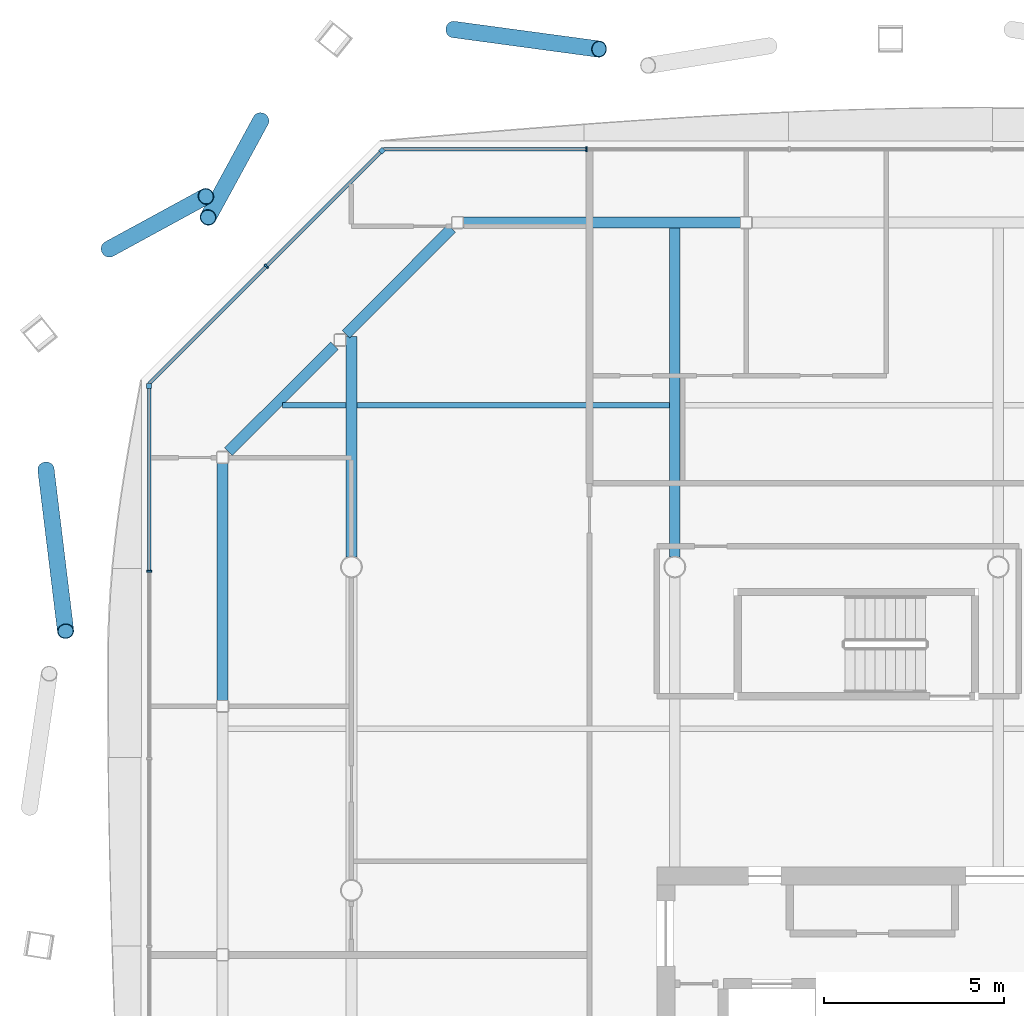
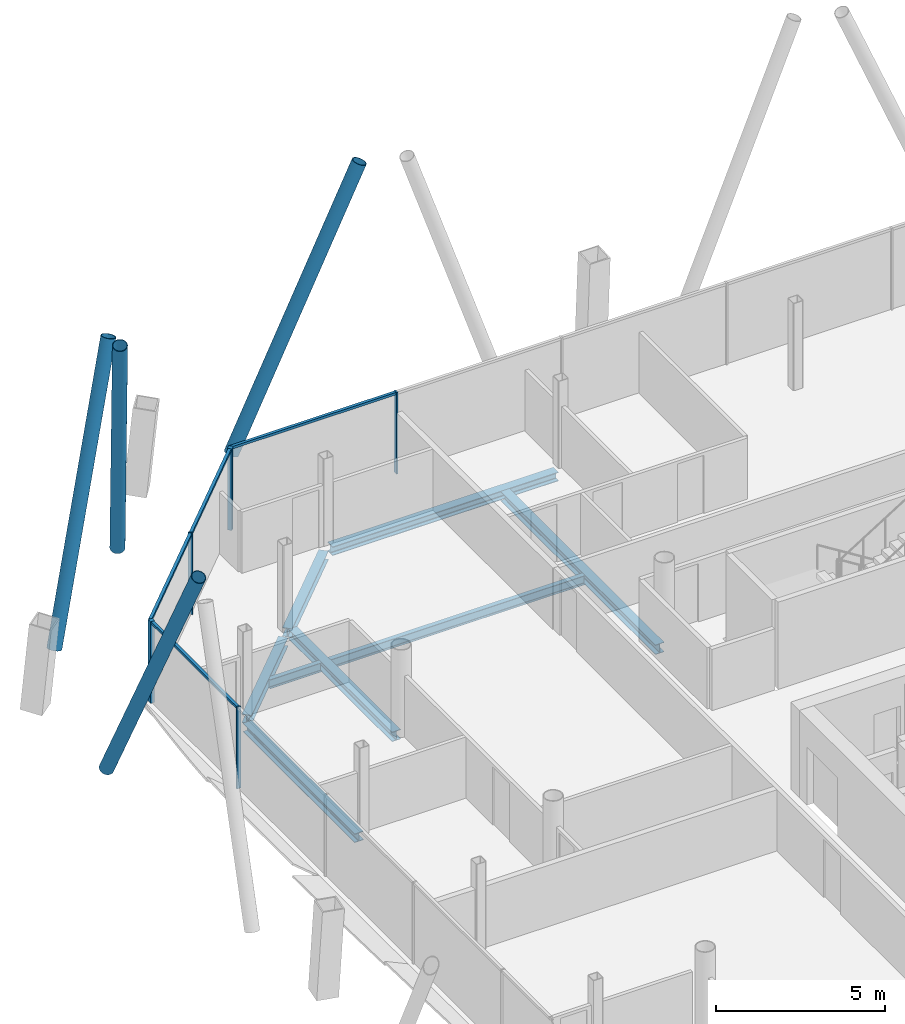
# One storey, part 10 of 20: 13 members, 8 beams, 3 elements without a shape of their own.
"""IFC4 building model written with IfcOpenShell, lengths in metres."""

from ifc_helpers import new_model, si_unit, direction, frame, origin, origin_2d, place, context, subcontext, project, spatial, rectangle, hollow_circle, i_section, extrude, material, material_profile, profile_set, type_object, element, aggregate, save


model = new_model("IFC4")

# Units and contexts
model_context = context("Model", 3, precision=1e-05, world=origin(), true_north=direction((0.0, 1.0)))
body_context = subcontext(model_context, "Body", "Model", "MODEL_VIEW")
ifc_project = project(units=[si_unit("LENGTHUNIT", "METRE"), si_unit("AREAUNIT", "SQUARE_METRE"), si_unit("VOLUMEUNIT", "CUBIC_METRE"), si_unit("PLANEANGLEUNIT", "RADIAN"), si_unit("MASSUNIT", "GRAM", prefix="KILO")], contexts=[model_context])

# Site, building, storey
site_placement = place(None, origin())
site = spatial("IfcSite", under=ifc_project, at=site_placement, CompositionType="ELEMENT")
building_placement = place(site_placement, origin())
building = spatial("IfcBuilding", under=site, at=building_placement, Name="Tskaro Facet Tower", CompositionType="ELEMENT")
storey_placement = place(building_placement, frame((0.0, 0.0, 181.64990234375)))
storey = spatial("IfcBuildingStorey", under=building, at=storey_placement, Name="L45", CompositionType="ELEMENT", Elevation=181.64990234375)

# Members
ifc_material_1 = material(Name="Steel S355J2H", Category="steel")
ifc_material_profile_1 = material_profile(ifc_material_1, hollow_circle(Radius=0.228515625, WallThickness=0.02001953125, at=origin_2d()), Name="CHS 457x20")
ifc_profile_set_1 = profile_set([ifc_material_profile_1], Name="Steel S355J2H")
member_type_1 = type_object("IfcMemberType", Name="CHS 457x20 brace", PredefinedType="BRACE", material=ifc_profile_set_1)
member_1_placement = place(storey_placement, frame((-15.162109375, 23.956787109375, 0.0), z_axis=(0.393699044834, -0.0532012921, 0.91769858048), x_axis=(0.133914728079, 0.990992858503, 0.0)))
element("IfcMember", 1, at=member_1_placement, inside=storey, type_object=member_type_1, Name="CHS 457x20 XB08B/4", PredefinedType="BRACE", context=body_context, shape_type="SweptSolid", body=[
    extrude(hollow_circle(Radius=0.228515625, WallThickness=0.02001953125, at=origin_2d()), origin(), (0.0, 0.0, 1.0), 10.297607421875),
])
for number, where, z_axis, x_axis, name in (
    (2, (-20.521728515625, 21.419677734375, 0.0), (-0.147675796765, -0.271222203776, 0.951120589215), (0.878254135535, -0.478194179613, 0.0), "CHS 457x20 XB09A/4"),
    (3, (-24.742919921875, 17.8447265625, 0.0), (0.271222203776, 0.147675796765, 0.951120589215), (-0.478194179613, 0.878254135535, 0.0), "CHS 457x20 XB09B/4"),
):
    element("IfcMember", number, at=place(storey_placement, frame(where, z_axis=z_axis, x_axis=x_axis)), inside=storey, type_object=member_type_1, Name=name, PredefinedType="BRACE", context=body_context, shape_type="SweptSolid", body=[
        extrude(hollow_circle(Radius=0.228515625, WallThickness=0.02001953125, at=origin_2d()), origin(), (0.0, 0.0, 1.0), 9.935791015625),
    ])
member_2_placement = place(storey_placement, frame((-26.499755859375, 11.7138671875, 0.0), z_axis=(0.052264514002, -0.429528595017, 0.901539575747), x_axis=(0.992678339937, 0.120787886065, 0.0)))
element("IfcMember", 4, at=member_2_placement, inside=storey, type_object=member_type_1, Name="CHS 457x20 XB10A/4", PredefinedType="BRACE", context=body_context, shape_type="SweptSolid", body=[
    extrude(hollow_circle(Radius=0.228515625, WallThickness=0.02001953125, at=origin_2d()), origin(), (0.0, 0.0, 1.0), 10.482177734375),
])

# Curtain wall, member
ifc_material_2 = material(Name="Bronze anodised aluminium 6063-T6", Category="aluminium")
curtain_wall_type = type_object("IfcCurtainWallType", Name="Bronze residence curtain wall (FW3)", PredefinedType="NOTDEFINED", material=ifc_material_2)
curtain_wall_1_placement = place(storey_placement, origin())
curtain_wall_1 = element("IfcCurtainWall", 5, at=curtain_wall_1_placement, inside=storey, type_object=curtain_wall_type, Name="FW3 north-west facet L45", PredefinedType="NOTDEFINED")
ifc_material_profile_2 = material_profile(ifc_material_2, rectangle(XDim=0.139892578125, YDim=0.139892578125, at=origin_2d()), Name="Corner post 140x140")
ifc_profile_set_2 = profile_set([ifc_material_profile_2], Name="Bronze anodised aluminium 6063-T6")
member_type_2 = type_object("IfcMemberType", Name="FW3 bronze corner post 140x140", PredefinedType="MULLION", material=ifc_profile_set_2)
member_3_placement = place(storey_placement, frame((-17.1494140625, 20.57861328125, 0.0), z_axis=(0.0, 0.0, 1.0), x_axis=(-0.707106781187, -0.707106781187, 0.0)))
member_3 = element("IfcMember", 6, at=member_3_placement, type_object=member_type_2, Name="FW3 north-west corner post", PredefinedType="MULLION", context=body_context, shape_type="SweptSolid", body=[
    extrude(rectangle(XDim=0.139892578125, YDim=0.139892578125, at=origin_2d()), origin(), (0.0, 0.0, 1.0), 2.9501953125),
])

curtain_wall_2_placement = place(storey_placement, origin())
curtain_wall_2 = element("IfcCurtainWall", 7, at=curtain_wall_2_placement, inside=storey, type_object=curtain_wall_type, Name="FW3 west facet L45", PredefinedType="NOTDEFINED")
member_4_placement = place(storey_placement, frame((-23.6279296875, 14.030029296875, 0.0), z_axis=(0.0, 0.0, 1.0), x_axis=(0.0, -1.0, 0.0)))
member_4 = element("IfcMember", 8, at=member_4_placement, type_object=member_type_2, Name="FW3 west corner post", PredefinedType="MULLION", context=body_context, shape_type="SweptSolid", body=[
    extrude(rectangle(XDim=0.139892578125, YDim=0.139892578125, at=origin_2d()), origin(), (0.0, 0.0, 1.0), 2.9501953125),
])

curtain_wall_3_placement = place(storey_placement, origin())
curtain_wall_3 = element("IfcCurtainWall", 9, at=curtain_wall_3_placement, inside=storey, type_object=curtain_wall_type, Name="FW3 north facet L45", PredefinedType="NOTDEFINED")
ifc_material_profile_3 = material_profile(ifc_material_2, rectangle(XDim=0.050048828125, YDim=0.139892578125, at=origin_2d()), Name="Mullion 50x140")
ifc_profile_set_3 = profile_set([ifc_material_profile_3], Name="Bronze anodised aluminium 6063-T6")
member_type_3 = type_object("IfcMemberType", Name="FW3 bronze mullion 50x140", PredefinedType="MULLION", material=ifc_profile_set_3)
member_5_placement = place(storey_placement, frame((-11.4599609375, 20.6279296875, 0.0), z_axis=(0.0, 0.0, 1.0), x_axis=(-1.0, 0.0, 0.0)))
member_5 = element("IfcMember", 10, at=member_5_placement, type_object=member_type_3, Name="FW3 north mullion 4", PredefinedType="MULLION", context=body_context, shape_type="SweptSolid", body=[
    extrude(rectangle(XDim=0.050048828125, YDim=0.139892578125, at=origin_2d()), origin(), (0.0, 0.0, 1.0), 2.9501953125),
])

# Member
member_6_placement = place(storey_placement, frame((-20.364013671875, 17.364013671875, 0.0), z_axis=(0.0, 0.0, 1.0), x_axis=(-0.707106781187, -0.707106781187, 0.0)))
member_6 = element("IfcMember", 11, at=member_6_placement, type_object=member_type_3, Name="FW3 north-west mullion 1", PredefinedType="MULLION", context=body_context, shape_type="SweptSolid", body=[
    extrude(rectangle(XDim=0.050048828125, YDim=0.139892578125, at=origin_2d()), origin(), (0.0, 0.0, 1.0), 2.9501953125),
])

member_7_placement = place(storey_placement, frame((-23.6279296875, 8.8818359375, 0.0), z_axis=(0.0, 0.0, 1.0), x_axis=(0.0, -1.0, 0.0)))
member_7 = element("IfcMember", 12, at=member_7_placement, type_object=member_type_3, Name="FW3 west mullion 1", PredefinedType="MULLION", context=body_context, shape_type="SweptSolid", body=[
    extrude(rectangle(XDim=0.050048828125, YDim=0.139892578125, at=origin_2d()), origin(), (0.0, 0.0, 1.0), 2.9501953125),
])

ifc_material_profile_4 = material_profile(ifc_material_2, rectangle(XDim=0.10009765625, YDim=0.090087890625, at=origin_2d()), Name="Transom 100x90")
ifc_profile_set_4 = profile_set([ifc_material_profile_4], Name="Bronze anodised aluminium 6063-T6")
member_type_4 = type_object("IfcMemberType", Name="FW3 bronze transom 100x90", PredefinedType="USERDEFINED", material=ifc_profile_set_4)
member_8_placement = place(storey_placement, frame((-11.485107421875, 20.6279296875, 2.905029296875), z_axis=(-1.0, 0.0, 0.0), x_axis=(0.0, -1.0, 0.0)))
member_8 = element("IfcMember", 13, at=member_8_placement, type_object=member_type_4, Name="FW3 north transom 5.1", ObjectType="TRANSOM", PredefinedType="USERDEFINED", context=body_context, shape_type="SweptSolid", body=[
    extrude(rectangle(XDim=0.10009765625, YDim=0.090087890625, at=origin_2d()), origin(), (0.0, 0.0, 1.0), 5.614990234375),
])

aggregate(curtain_wall_3, [member_5, member_8])

member_9_placement = place(storey_placement, frame((-17.198974609375, 20.529052734375, 2.905029296875), z_axis=(-0.707106781187, -0.707106781187, 0.0), x_axis=(0.707106781187, -0.707106781187, 0.0)))
member_9 = element("IfcMember", 14, at=member_9_placement, type_object=member_type_4, Name="FW3 north-west transom 1.1", ObjectType="TRANSOM", PredefinedType="USERDEFINED", context=body_context, shape_type="SweptSolid", body=[
    extrude(rectangle(XDim=0.10009765625, YDim=0.090087890625, at=origin_2d()), origin(), (0.0, 0.0, 1.0), 4.451171875),
])

member_10_placement = place(storey_placement, frame((-20.381591796875, 17.346435546875, 2.905029296875), z_axis=(-0.707106781187, -0.707106781187, 0.0), x_axis=(0.707106781187, -0.707106781187, 0.0)))
member_10 = element("IfcMember", 15, at=member_10_placement, type_object=member_type_4, Name="FW3 north-west transom 2.1", ObjectType="TRANSOM", PredefinedType="USERDEFINED", context=body_context, shape_type="SweptSolid", body=[
    extrude(rectangle(XDim=0.10009765625, YDim=0.090087890625, at=origin_2d()), origin(), (0.0, 0.0, 1.0), 4.591064453125),
])

aggregate(curtain_wall_1, [member_3, member_6, member_9, member_10])

member_11_placement = place(storey_placement, frame((-23.6279296875, 13.9599609375, 2.905029296875), z_axis=(0.0, -1.0, 0.0), x_axis=(1.0, 0.0, 0.0)))
member_11 = element("IfcMember", 16, at=member_11_placement, type_object=member_type_4, Name="FW3 west transom 1.1", ObjectType="TRANSOM", PredefinedType="USERDEFINED", context=body_context, shape_type="SweptSolid", body=[
    extrude(rectangle(XDim=0.10009765625, YDim=0.090087890625, at=origin_2d()), origin(), (0.0, 0.0, 1.0), 5.05322265625),
])

aggregate(curtain_wall_2, [member_4, member_7, member_11])

# Beams
ifc_material_3 = material(Name="Steel S355J2", Category="steel")
ifc_material_profile_5 = material_profile(ifc_material_3, i_section(OverallWidth=0.300048828125, OverallDepth=0.320068359375, WebThickness=0.011474609375, FlangeThickness=0.0205078125, FilletRadius=0.027099609375, at=origin_2d()), Name="HE 320 B")
ifc_profile_set_5 = profile_set([ifc_material_profile_5], Name="Steel S355J2")
beam_type_1 = type_object("IfcBeamType", Name="HE 320 B ring beam", PredefinedType="BEAM", material=ifc_profile_set_5)
beam_1_placement = place(storey_placement, frame((-7.169921875, 18.5830078125, -0.2998046875), z_axis=(-1.0, 0.0, 0.0), x_axis=(0.0, -1.0, 0.0)))
element("IfcBeam", 17, at=beam_1_placement, inside=storey, type_object=beam_type_1, Name="HE 320 B EB14-4", PredefinedType="BEAM", context=body_context, shape_type="SweptSolid", body=[
    extrude(i_section(OverallWidth=0.300048828125, OverallDepth=0.320068359375, WebThickness=0.011474609375, FlangeThickness=0.0205078125, FilletRadius=0.027099609375, at=origin_2d()), origin(), (0.0, 0.0, 1.0), 7.72119140625),
])
for number, where, z_axis, x_axis, name in (
    (18, (-15.206787109375, 18.422119140625, -0.2998046875), (-0.706989603829, -0.70722393913, 0.0), (0.70722393913, -0.706989603829, 0.0), "HE 320 B EB15-4"),
    (19, (-18.474853515625, 15.153076171875, -0.2998046875), (-0.70722393913, -0.706989603829, 0.0), (0.706989603829, -0.70722393913, 0.0), "HE 320 B EB16-4"),
):
    element("IfcBeam", number, at=place(storey_placement, frame(where, z_axis=z_axis, x_axis=x_axis)), inside=storey, type_object=beam_type_1, Name=name, PredefinedType="BEAM", context=body_context, shape_type="SweptSolid", body=[
        extrude(i_section(OverallWidth=0.300048828125, OverallDepth=0.320068359375, WebThickness=0.011474609375, FlangeThickness=0.0205078125, FilletRadius=0.027099609375, at=origin_2d()), origin(), (0.0, 0.0, 1.0), 4.16748046875),
    ])
beam_2_placement = place(storey_placement, frame((-21.5830078125, 11.89111328125, -0.2998046875), z_axis=(0.0, -1.0, 0.0), x_axis=(1.0, 0.0, 0.0)))
element("IfcBeam", 20, at=beam_2_placement, inside=storey, type_object=beam_type_1, Name="HE 320 B EB17-4", PredefinedType="BEAM", context=body_context, shape_type="SweptSolid", body=[
    extrude(i_section(OverallWidth=0.300048828125, OverallDepth=0.320068359375, WebThickness=0.011474609375, FlangeThickness=0.0205078125, FilletRadius=0.027099609375, at=origin_2d()), origin(), (0.0, 0.0, 1.0), 6.610107421875),
])
ifc_material_profile_6 = material_profile(ifc_material_3, i_section(OverallWidth=0.300048828125, OverallDepth=0.35009765625, WebThickness=0.010009765625, FlangeThickness=0.017578125, FilletRadius=0.027099609375, at=origin_2d()), Name="HE 360 A")
ifc_profile_set_6 = profile_set([ifc_material_profile_6], Name="Steel S355J2")
beam_type_2 = type_object("IfcBeamType", Name="HE 360 A girder", PredefinedType="BEAM", material=ifc_profile_set_6)
beam_3_placement = place(storey_placement, frame((-18.0, 9.27490234375, -0.31494140625), z_axis=(0.0, 1.0, 0.0), x_axis=(-1.0, 0.0, 0.0)))
element("IfcBeam", 21, at=beam_3_placement, inside=storey, type_object=beam_type_2, Name="HE 360 A GB2-4-4", PredefinedType="BEAM", context=body_context, shape_type="SweptSolid", body=[
    extrude(i_section(OverallWidth=0.300048828125, OverallDepth=0.35009765625, WebThickness=0.010009765625, FlangeThickness=0.017578125, FilletRadius=0.027099609375, at=origin_2d()), origin(), (0.0, 0.0, 1.0), 6.14208984375),
])
beam_4_placement = place(storey_placement, frame((-9.0, 9.27490234375, -0.31494140625), z_axis=(0.0, 1.0, 0.0), x_axis=(-1.0, 0.0, 0.0)))
element("IfcBeam", 22, at=beam_4_placement, inside=storey, type_object=beam_type_2, Name="HE 360 A GB3-3-4", PredefinedType="BEAM", context=body_context, shape_type="SweptSolid", body=[
    extrude(i_section(OverallWidth=0.300048828125, OverallDepth=0.35009765625, WebThickness=0.010009765625, FlangeThickness=0.017578125, FilletRadius=0.027099609375, at=origin_2d()), origin(), (0.0, 0.0, 1.0), 9.158203125),
])
ifc_material_profile_7 = material_profile(ifc_material_3, i_section(OverallWidth=0.159912109375, OverallDepth=0.330078125, WebThickness=0.007568359375, FlangeThickness=0.011474609375, FilletRadius=0.01806640625, at=origin_2d()), Name="IPE 330")
ifc_profile_set_7 = profile_set([ifc_material_profile_7], Name="Steel S355J2")
beam_type_3 = type_object("IfcBeamType", Name="IPE 330 secondary beam", PredefinedType="BEAM", material=ifc_profile_set_7)
beam_5_placement = place(storey_placement, frame((-19.9169921875, 13.5, -0.304931640625), z_axis=(1.0, 0.0, 0.0), x_axis=(0.0, 1.0, 0.0)))
element("IfcBeam", 23, at=beam_5_placement, inside=storey, type_object=beam_type_3, Name="IPE 330 SB5a-1-4", PredefinedType="BEAM", context=body_context, shape_type="SweptSolid", body=[
    extrude(i_section(OverallWidth=0.159912109375, OverallDepth=0.330078125, WebThickness=0.007568359375, FlangeThickness=0.011474609375, FilletRadius=0.01806640625, at=origin_2d()), origin(), (0.0, 0.0, 1.0), 1.76708984375),
])
beam_6_placement = place(storey_placement, frame((-17.85009765625, 13.5, -0.304931640625), z_axis=(1.0, 0.0, 0.0), x_axis=(0.0, 1.0, 0.0)))
element("IfcBeam", 24, at=beam_6_placement, inside=storey, type_object=beam_type_3, Name="IPE 330 SB5a-2-4", PredefinedType="BEAM", context=body_context, shape_type="SweptSolid", body=[
    extrude(i_section(OverallWidth=0.159912109375, OverallDepth=0.330078125, WebThickness=0.007568359375, FlangeThickness=0.011474609375, FilletRadius=0.01806640625, at=origin_2d()), origin(), (0.0, 0.0, 1.0), 8.7001953125),
])

save(model, "model.ifc")
